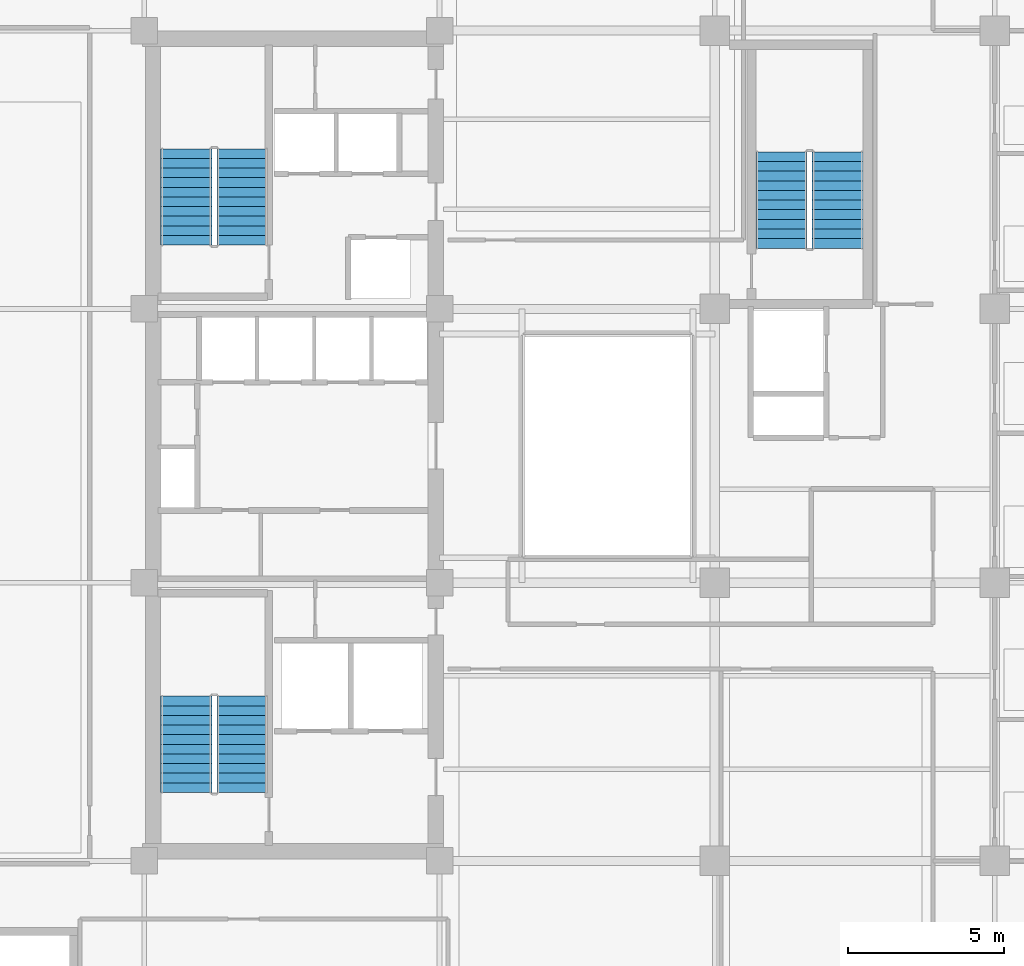
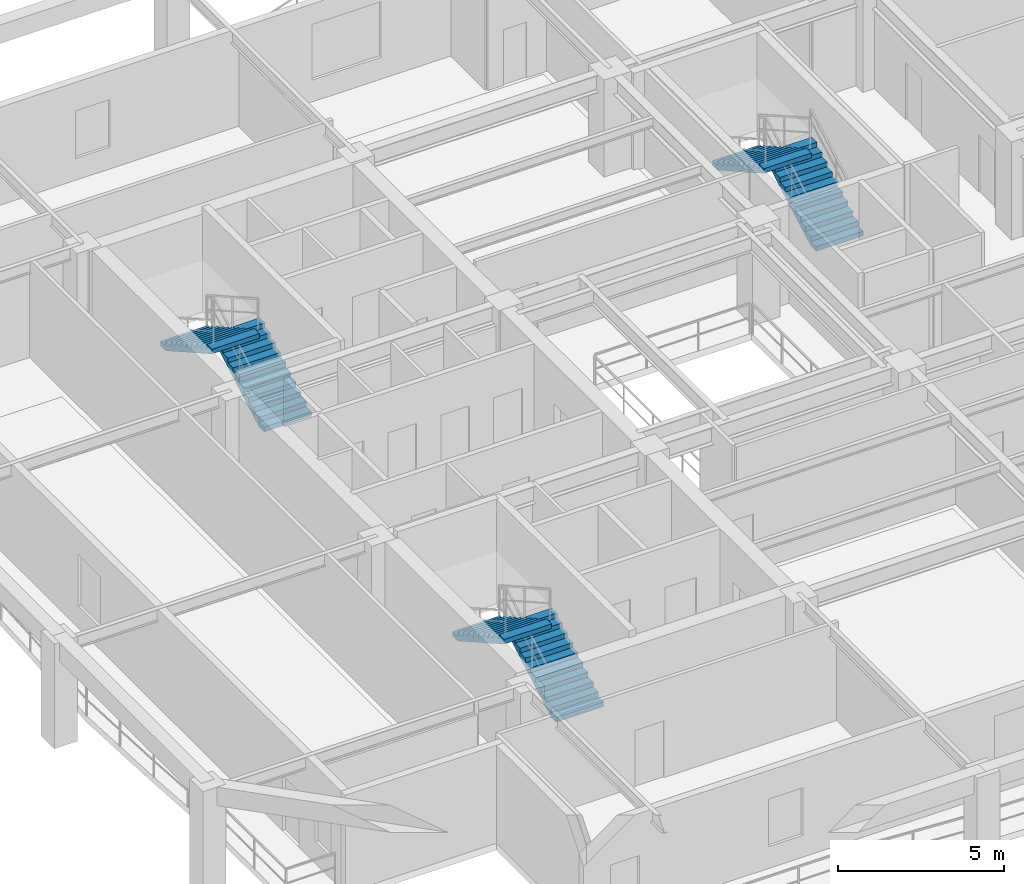
# One storey, part 7 of 13: 6 stair flights, 3 elements without a shape of their own.
"""IFC4 building model written with IfcOpenShell, lengths in metres."""

from ifc_helpers import new_model, si_unit, direction, frame, origin, place, context, subcontext, project, spatial, polyline, outline, extrude, material, type_object, element, aggregate, save


model = new_model("IFC4")

# Units and contexts
model_context = context("Model", 3, precision=1e-05, world=origin(), true_north=direction((0.0, 1.0)))
body_context = subcontext(model_context, "Body", "Model", "MODEL_VIEW")
ifc_project = project(units=[si_unit("LENGTHUNIT", "METRE"), si_unit("AREAUNIT", "SQUARE_METRE"), si_unit("VOLUMEUNIT", "CUBIC_METRE"), si_unit("PLANEANGLEUNIT", "RADIAN"), si_unit("MASSUNIT", "GRAM", prefix="KILO")], contexts=[model_context])

# Site, building, storey
site_placement = place(None, origin())
site = spatial("IfcSite", under=ifc_project, at=site_placement, CompositionType="ELEMENT")
building_placement = place(site_placement, origin())
building = spatial("IfcBuilding", under=site, at=building_placement, Name="Kundavana Baori Tower", CompositionType="ELEMENT")
storey_placement = place(building_placement, frame((0.0, 0.0, 192.550048828125)))
storey = spatial("IfcBuildingStorey", under=building, at=storey_placement, Name="L47", CompositionType="ELEMENT", Elevation=192.550048828125)

# Stair, stair flights
ifc_material_1 = material(Name="Concrete C40/50", Category="concrete")
stair_type = type_object("IfcStairType", Name="STR-DOG-1650", PredefinedType="HALF_TURN_STAIR", material=ifc_material_1)
stair_1_placement = place(storey_placement, origin())
stair_1 = element("IfcStair", 1, at=stair_1_placement, inside=storey, type_object=stair_type, Name="L47 Protected Exit Stair ST1", PredefinedType="HALF_TURN_STAIR")
ifc_material_2 = material(Name="Concrete C40/50", Category="concrete")
stair_flight_type = type_object("IfcStairFlightType", Name="SFL-RC-1650", PredefinedType="STRAIGHT", material=ifc_material_2)
stair_flight_1_placement = place(storey_placement, frame((18.614990234375, 17.449951171875, 0.0), z_axis=(0.0, 0.0, 1.0), x_axis=(0.0, 1.0, 0.0)))
stair_flight_1 = element("IfcStairFlight", 2, at=stair_flight_1_placement, type_object=stair_flight_type, Name="ST1 flight 1", NumberOfRisers=11, NumberOfTreads=10, PredefinedType="STRAIGHT", RiserHeight=0.175, TreadLength=0.31, context=body_context, shape_type="SweptSolid", body=[
    extrude(outline(polyline([(0.0, 0.0), (0.0, 0.175048828125), (0.31005859375, 0.175048828125), (0.31005859375, 0.35009765625), (0.6201171875, 0.35009765625), (0.6201171875, 0.52490234375), (0.929931640625, 0.52490234375), (0.929931640625, 0.699951171875), (1.239990234375, 0.699951171875), (1.239990234375, 0.875), (1.550048828125, 0.875), (1.550048828125, 1.050048828125), (1.860107421875, 1.050048828125), (1.860107421875, 1.22509765625), (2.169921875, 1.22509765625), (2.169921875, 1.39990234375), (2.47998046875, 1.39990234375), (2.47998046875, 1.574951171875), (2.7900390625, 1.574951171875), (2.7900390625, 1.75), (3.10009765625, 1.75), (3.10009765625, 1.925048828125), (3.10009765625, 1.577880859375), (0.304931640625, 0.0), (0.0, 0.0)])), frame((0.0, 0.824951171875, 0.0), z_axis=(0.0, -1.0, 0.0), x_axis=(1.0, 0.0, 0.0)), (0.0, 0.0, 1.0), 1.64990234375),
])
stair_flight_2_placement = place(storey_placement, frame((16.804931640625, 20.550048828125, 1.925048828125), z_axis=(0.0, 0.0, 1.0), x_axis=(0.0, -1.0, 0.0)))
stair_flight_2 = element("IfcStairFlight", 3, at=stair_flight_2_placement, type_object=stair_flight_type, Name="ST1 flight 2", NumberOfRisers=11, NumberOfTreads=10, PredefinedType="STRAIGHT", RiserHeight=0.175, TreadLength=0.31, context=body_context, shape_type="SweptSolid", body=[
    extrude(outline(polyline([(0.0, 0.0), (0.0, 0.175048828125), (0.31005859375, 0.175048828125), (0.31005859375, 0.35009765625), (0.6201171875, 0.35009765625), (0.6201171875, 0.52490234375), (0.929931640625, 0.52490234375), (0.929931640625, 0.699951171875), (1.239990234375, 0.699951171875), (1.239990234375, 0.875), (1.550048828125, 0.875), (1.550048828125, 1.050048828125), (1.860107421875, 1.050048828125), (1.860107421875, 1.22509765625), (2.169921875, 1.22509765625), (2.169921875, 1.39990234375), (2.47998046875, 1.39990234375), (2.47998046875, 1.574951171875), (2.7900390625, 1.574951171875), (2.7900390625, 1.75), (3.10009765625, 1.75), (3.10009765625, 1.925048828125), (3.10009765625, 1.577880859375), (0.304931640625, 0.0), (0.0, 0.0)])), frame((0.0, 0.824951171875, 0.0), z_axis=(0.0, -1.0, 0.0), x_axis=(1.0, 0.0, 0.0)), (0.0, 0.0, 1.0), 1.64990234375),
])
aggregate(stair_1, [stair_flight_1, stair_flight_2])

stair_2_placement = place(storey_placement, origin())
stair_2 = element("IfcStair", 4, at=stair_2_placement, inside=storey, type_object=stair_type, Name="L47 Protected Exit Stair ST2", PredefinedType="HALF_TURN_STAIR")
stair_flight_3_placement = place(storey_placement, frame((18.614990234375, 35.050048828125, 0.0), z_axis=(0.0, 0.0, 1.0), x_axis=(0.0, 1.0, 0.0)))
stair_flight_3 = element("IfcStairFlight", 5, at=stair_flight_3_placement, type_object=stair_flight_type, Name="ST2 flight 1", NumberOfRisers=11, NumberOfTreads=10, PredefinedType="STRAIGHT", RiserHeight=0.175, TreadLength=0.31, context=body_context, shape_type="SweptSolid", body=[
    extrude(outline(polyline([(0.0, 0.0), (0.0, 0.175048828125), (0.31005859375, 0.175048828125), (0.31005859375, 0.35009765625), (0.6201171875, 0.35009765625), (0.6201171875, 0.52490234375), (0.929931640625, 0.52490234375), (0.929931640625, 0.699951171875), (1.239990234375, 0.699951171875), (1.239990234375, 0.875), (1.550048828125, 0.875), (1.550048828125, 1.050048828125), (1.860107421875, 1.050048828125), (1.860107421875, 1.22509765625), (2.169921875, 1.22509765625), (2.169921875, 1.39990234375), (2.47998046875, 1.39990234375), (2.47998046875, 1.574951171875), (2.7900390625, 1.574951171875), (2.7900390625, 1.75), (3.10009765625, 1.75), (3.10009765625, 1.925048828125), (3.10009765625, 1.577880859375), (0.304931640625, 0.0), (0.0, 0.0)])), frame((0.0, 0.824951171875, 0.0), z_axis=(0.0, -1.0, 0.0), x_axis=(1.0, 0.0, 0.0)), (0.0, 0.0, 1.0), 1.64990234375),
])
stair_flight_4_placement = place(storey_placement, frame((16.804931640625, 38.14990234375, 1.925048828125), z_axis=(0.0, 0.0, 1.0), x_axis=(0.0, -1.0, 0.0)))
stair_flight_4 = element("IfcStairFlight", 6, at=stair_flight_4_placement, type_object=stair_flight_type, Name="ST2 flight 2", NumberOfRisers=11, NumberOfTreads=10, PredefinedType="STRAIGHT", RiserHeight=0.175, TreadLength=0.31, context=body_context, shape_type="SweptSolid", body=[
    extrude(outline(polyline([(0.0, 0.0), (0.0, 0.175048828125), (0.31005859375, 0.175048828125), (0.31005859375, 0.35009765625), (0.6201171875, 0.35009765625), (0.6201171875, 0.52490234375), (0.929931640625, 0.52490234375), (0.929931640625, 0.699951171875), (1.239990234375, 0.699951171875), (1.239990234375, 0.875), (1.550048828125, 0.875), (1.550048828125, 1.050048828125), (1.860107421875, 1.050048828125), (1.860107421875, 1.22509765625), (2.169921875, 1.22509765625), (2.169921875, 1.39990234375), (2.47998046875, 1.39990234375), (2.47998046875, 1.574951171875), (2.7900390625, 1.574951171875), (2.7900390625, 1.75), (3.10009765625, 1.75), (3.10009765625, 1.925048828125), (3.10009765625, 1.577880859375), (0.304931640625, 0.0), (0.0, 0.0)])), frame((0.0, 0.824951171875, 0.0), z_axis=(0.0, -1.0, 0.0), x_axis=(1.0, 0.0, 0.0)), (0.0, 0.0, 1.0), 1.64990234375),
])
aggregate(stair_2, [stair_flight_3, stair_flight_4])

stair_3_placement = place(storey_placement, origin())
stair_3 = element("IfcStair", 7, at=stair_3_placement, inside=storey, type_object=stair_type, Name="L47 Protected Exit Stair ST3", PredefinedType="HALF_TURN_STAIR")
stair_flight_5_placement = place(storey_placement, frame((37.7548828125, 34.949951171875, 0.0), z_axis=(0.0, 0.0, 1.0), x_axis=(0.0, 1.0, 0.0)))
stair_flight_5 = element("IfcStairFlight", 8, at=stair_flight_5_placement, type_object=stair_flight_type, Name="ST3 flight 1", NumberOfRisers=11, NumberOfTreads=10, PredefinedType="STRAIGHT", RiserHeight=0.175, TreadLength=0.31, context=body_context, shape_type="SweptSolid", body=[
    extrude(outline(polyline([(0.0, 0.0), (0.0, 0.175048828125), (0.31005859375, 0.175048828125), (0.31005859375, 0.35009765625), (0.6201171875, 0.35009765625), (0.6201171875, 0.52490234375), (0.929931640625, 0.52490234375), (0.929931640625, 0.699951171875), (1.239990234375, 0.699951171875), (1.239990234375, 0.875), (1.550048828125, 0.875), (1.550048828125, 1.050048828125), (1.860107421875, 1.050048828125), (1.860107421875, 1.22509765625), (2.169921875, 1.22509765625), (2.169921875, 1.39990234375), (2.47998046875, 1.39990234375), (2.47998046875, 1.574951171875), (2.7900390625, 1.574951171875), (2.7900390625, 1.75), (3.10009765625, 1.75), (3.10009765625, 1.925048828125), (3.10009765625, 1.577880859375), (0.304931640625, 0.0), (0.0, 0.0)])), frame((0.0, 0.824951171875, 0.0), z_axis=(0.0, -1.0, 0.0), x_axis=(1.0, 0.0, 0.0)), (0.0, 0.0, 1.0), 1.64990234375),
])
stair_flight_6_placement = place(storey_placement, frame((35.945068359375, 38.050048828125, 1.925048828125), z_axis=(0.0, 0.0, 1.0), x_axis=(0.0, -1.0, 0.0)))
stair_flight_6 = element("IfcStairFlight", 9, at=stair_flight_6_placement, type_object=stair_flight_type, Name="ST3 flight 2", NumberOfRisers=11, NumberOfTreads=10, PredefinedType="STRAIGHT", RiserHeight=0.175, TreadLength=0.31, context=body_context, shape_type="SweptSolid", body=[
    extrude(outline(polyline([(0.0, 0.0), (0.0, 0.175048828125), (0.31005859375, 0.175048828125), (0.31005859375, 0.35009765625), (0.6201171875, 0.35009765625), (0.6201171875, 0.52490234375), (0.929931640625, 0.52490234375), (0.929931640625, 0.699951171875), (1.239990234375, 0.699951171875), (1.239990234375, 0.875), (1.550048828125, 0.875), (1.550048828125, 1.050048828125), (1.860107421875, 1.050048828125), (1.860107421875, 1.22509765625), (2.169921875, 1.22509765625), (2.169921875, 1.39990234375), (2.47998046875, 1.39990234375), (2.47998046875, 1.574951171875), (2.7900390625, 1.574951171875), (2.7900390625, 1.75), (3.10009765625, 1.75), (3.10009765625, 1.925048828125), (3.10009765625, 1.577880859375), (0.304931640625, 0.0), (0.0, 0.0)])), frame((0.0, 0.824951171875, 0.0), z_axis=(0.0, -1.0, 0.0), x_axis=(1.0, 0.0, 0.0)), (0.0, 0.0, 1.0), 1.64990234375),
])
aggregate(stair_3, [stair_flight_5, stair_flight_6])

save(model, "model.ifc")
